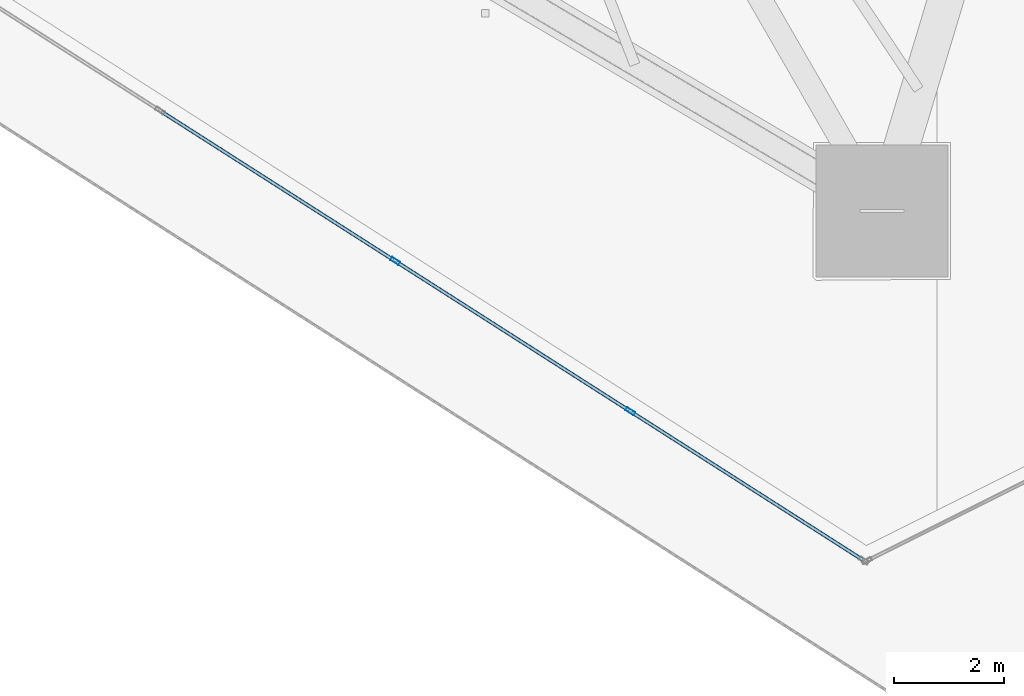
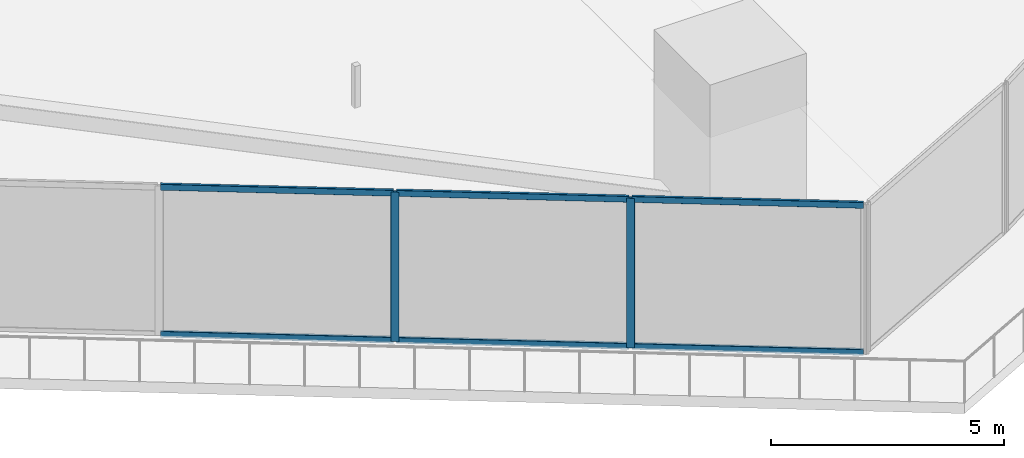
# One storey, part 7 of 43: 8 members, 1 element without a shape of its own.
"""IFC4 building model written with IfcOpenShell, lengths in metres."""

from ifc_helpers import new_model, si_unit, direction, frame, origin, origin_2d, place, context, subcontext, project, spatial, hollow_rectangle, extrude, material, layer, layer_set, material_profile, profile_set, type_object, element, aggregate, save


model = new_model("IFC4")

# Units and contexts
model_context = context("Model", 3, precision=1e-05, world=origin(), true_north=direction((0.0, 1.0)))
body_context = subcontext(model_context, "Body", "Model", "MODEL_VIEW")
ifc_project = project(units=[si_unit("LENGTHUNIT", "METRE"), si_unit("AREAUNIT", "SQUARE_METRE"), si_unit("VOLUMEUNIT", "CUBIC_METRE"), si_unit("PLANEANGLEUNIT", "RADIAN"), si_unit("MASSUNIT", "GRAM", prefix="KILO")], contexts=[model_context])

# Site, building, storey
site_placement = place(None, origin())
site = spatial("IfcSite", under=ifc_project, at=site_placement, CompositionType="ELEMENT")
building_placement = place(site_placement, origin())
building = spatial("IfcBuilding", under=site, at=building_placement, Name="Qorvath Tower", CompositionType="ELEMENT")
storey_placement = place(building_placement, frame((0.0, 0.0, 36.60009765625)))
storey = spatial("IfcBuildingStorey", under=building, at=storey_placement, Name="L07", CompositionType="ELEMENT", Elevation=36.60009765625)

# Curtain wall, members
ifc_material_1 = material(Name="Anodised aluminium and triple low-E glass", Category="aluminium")
ifc_layer = layer(ifc_material_1, 0.179931640625)
ifc_layer_set = layer_set([ifc_layer], Name="CW-SYS-2")
curtain_wall_type = type_object("IfcCurtainWallType", Name="CW-SYS-2", PredefinedType="NOTDEFINED", material=ifc_layer_set)
curtain_wall_placement = place(storey_placement, origin())
curtain_wall = element("IfcCurtainWall", 1, at=curtain_wall_placement, inside=storey, type_object=curtain_wall_type, Name="Curtain Wall CW-2 CW-T-L07-2.2", PredefinedType="NOTDEFINED")
ifc_material_2 = material(Name="Anodised aluminium 6063-T6", Category="aluminium")
ifc_material_profile_1 = material_profile(ifc_material_2, hollow_rectangle(XDim=0.06494140625, YDim=0.179931640625, WallThickness=0.00341796875, InnerFilletRadius=0.00341796875, OuterFilletRadius=0.007080078125, at=origin_2d()), Name="CWM 180x65")
ifc_profile_set_1 = profile_set([ifc_material_profile_1], Name="Anodised aluminium 6063-T6")
member_type_1 = type_object("IfcMemberType", Name="CWM-180", PredefinedType="MULLION", material=ifc_profile_set_1)
member_1_placement = place(storey_placement, frame((-23.306396484375, -28.240966796875, 0.0), z_axis=(0.0, 0.0, 1.0), x_axis=(0.538532593363, 0.842604679483, 0.0)))
member_1 = element("IfcMember", 2, at=member_1_placement, type_object=member_type_1, Name="CW-2 mullion 5", PredefinedType="MULLION", context=body_context, shape_type="SweptSolid", body=[
    extrude(hollow_rectangle(XDim=0.06494140625, YDim=0.179931640625, WallThickness=0.00341796875, InnerFilletRadius=0.00341796875, OuterFilletRadius=0.007080078125, at=origin_2d()), origin(), (0.0, 0.0, 1.0), 3.919921875),
])
member_2_placement = place(storey_placement, frame((-19.03662109375, -30.969970703125, 0.0), z_axis=(0.0, 0.0, 1.0), x_axis=(0.538532593363, 0.842604679483, 0.0)))
member_2 = element("IfcMember", 3, at=member_2_placement, type_object=member_type_1, Name="CW-2 mullion 6", PredefinedType="MULLION", context=body_context, shape_type="SweptSolid", body=[
    extrude(hollow_rectangle(XDim=0.06494140625, YDim=0.179931640625, WallThickness=0.00341796875, InnerFilletRadius=0.00341796875, OuterFilletRadius=0.007080078125, at=origin_2d()), origin(), (0.0, 0.0, 1.0), 3.919921875),
])
ifc_material_3 = material(Name="Anodised aluminium 6063-T6", Category="aluminium")
ifc_material_profile_2 = material_profile(ifc_material_3, hollow_rectangle(XDim=0.06494140625, YDim=0.159912109375, WallThickness=0.00341796875, InnerFilletRadius=0.00341796875, OuterFilletRadius=0.007080078125, at=origin_2d()), Name="CWT 160x65")
ifc_profile_set_2 = profile_set([ifc_material_profile_2], Name="Anodised aluminium 6063-T6")
member_type_2 = type_object("IfcMemberType", Name="CWT-160", PredefinedType="USERDEFINED", material=ifc_profile_set_2)
member_3_placement = place(storey_placement, frame((-27.548583984375, -25.52978515625, 0.032470703125), z_axis=(0.842602751758, -0.538535609528, 0.0), x_axis=(0.538535609528, 0.842602751758, 0.0)))
member_3 = element("IfcMember", 4, at=member_3_placement, type_object=member_type_2, Name="CW-2 transom 4.1", ObjectType="TRANSOM", PredefinedType="USERDEFINED", context=body_context, shape_type="SweptSolid", body=[
    extrude(hollow_rectangle(XDim=0.06494140625, YDim=0.159912109375, WallThickness=0.00341796875, InnerFilletRadius=0.00341796875, OuterFilletRadius=0.007080078125, at=origin_2d()), origin(), (0.0, 0.0, 1.0), 5.002197265625),
])
member_4_placement = place(storey_placement, frame((-27.548583984375, -25.52978515625, 3.887451171875), z_axis=(0.842602751758, -0.538535609528, 0.0), x_axis=(0.538535609528, 0.842602751758, 0.0)))
member_4 = element("IfcMember", 5, at=member_4_placement, type_object=member_type_2, Name="CW-2 transom 4.2", ObjectType="TRANSOM", PredefinedType="USERDEFINED", context=body_context, shape_type="SweptSolid", body=[
    extrude(hollow_rectangle(XDim=0.06494140625, YDim=0.159912109375, WallThickness=0.00341796875, InnerFilletRadius=0.00341796875, OuterFilletRadius=0.007080078125, at=origin_2d()), origin(), (0.0, 0.0, 1.0), 5.002197265625),
])
member_5_placement = place(storey_placement, frame((-23.279052734375, -28.258544921875, 0.032470703125), z_axis=(0.842602751758, -0.538535609528, 0.0), x_axis=(0.538535609528, 0.842602751758, 0.0)))
member_5 = element("IfcMember", 6, at=member_5_placement, type_object=member_type_2, Name="CW-2 transom 5.1", ObjectType="TRANSOM", PredefinedType="USERDEFINED", context=body_context, shape_type="SweptSolid", body=[
    extrude(hollow_rectangle(XDim=0.06494140625, YDim=0.159912109375, WallThickness=0.00341796875, InnerFilletRadius=0.00341796875, OuterFilletRadius=0.007080078125, at=origin_2d()), origin(), (0.0, 0.0, 1.0), 5.002197265625),
])
member_6_placement = place(storey_placement, frame((-23.279052734375, -28.258544921875, 3.887451171875), z_axis=(0.842602751758, -0.538535609528, 0.0), x_axis=(0.538535609528, 0.842602751758, 0.0)))
member_6 = element("IfcMember", 7, at=member_6_placement, type_object=member_type_2, Name="CW-2 transom 5.2", ObjectType="TRANSOM", PredefinedType="USERDEFINED", context=body_context, shape_type="SweptSolid", body=[
    extrude(hollow_rectangle(XDim=0.06494140625, YDim=0.159912109375, WallThickness=0.00341796875, InnerFilletRadius=0.00341796875, OuterFilletRadius=0.007080078125, at=origin_2d()), origin(), (0.0, 0.0, 1.0), 5.002197265625),
])
member_7_placement = place(storey_placement, frame((-19.00927734375, -30.9873046875, 0.032470703125), z_axis=(0.842612048599, -0.538521063243, 0.0), x_axis=(0.538521063243, 0.842612048599, 0.0)))
member_7 = element("IfcMember", 8, at=member_7_placement, type_object=member_type_2, Name="CW-2 transom 6.1", ObjectType="TRANSOM", PredefinedType="USERDEFINED", context=body_context, shape_type="SweptSolid", body=[
    extrude(hollow_rectangle(XDim=0.06494140625, YDim=0.159912109375, WallThickness=0.00341796875, InnerFilletRadius=0.00341796875, OuterFilletRadius=0.007080078125, at=origin_2d()), origin(), (0.0, 0.0, 1.0), 4.9697265625),
])
member_8_placement = place(storey_placement, frame((-19.00927734375, -30.9873046875, 3.887451171875), z_axis=(0.842612048599, -0.538521063243, 0.0), x_axis=(0.538521063243, 0.842612048599, 0.0)))
member_8 = element("IfcMember", 9, at=member_8_placement, type_object=member_type_2, Name="CW-2 transom 6.2", ObjectType="TRANSOM", PredefinedType="USERDEFINED", context=body_context, shape_type="SweptSolid", body=[
    extrude(hollow_rectangle(XDim=0.06494140625, YDim=0.159912109375, WallThickness=0.00341796875, InnerFilletRadius=0.00341796875, OuterFilletRadius=0.007080078125, at=origin_2d()), origin(), (0.0, 0.0, 1.0), 4.9697265625),
])
aggregate(curtain_wall, [member_1, member_2, member_3, member_4, member_5, member_6, member_7, member_8])

save(model, "model.ifc")
